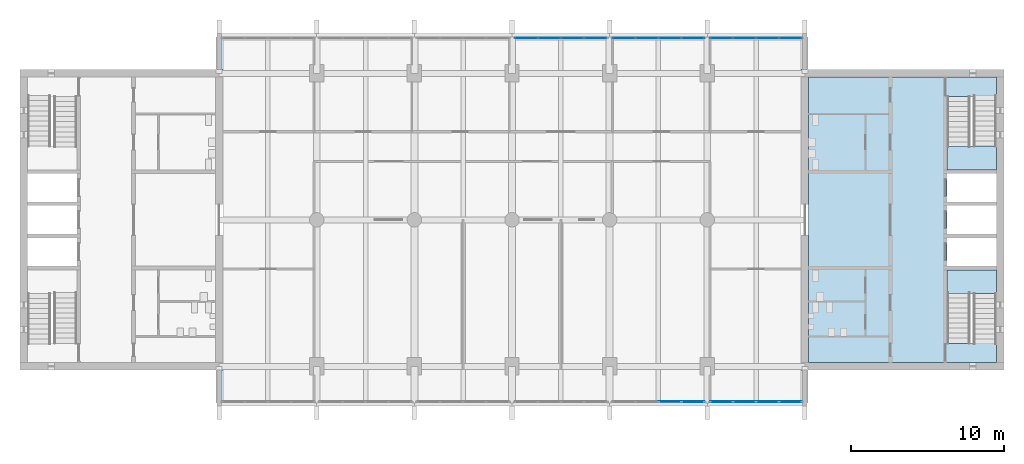
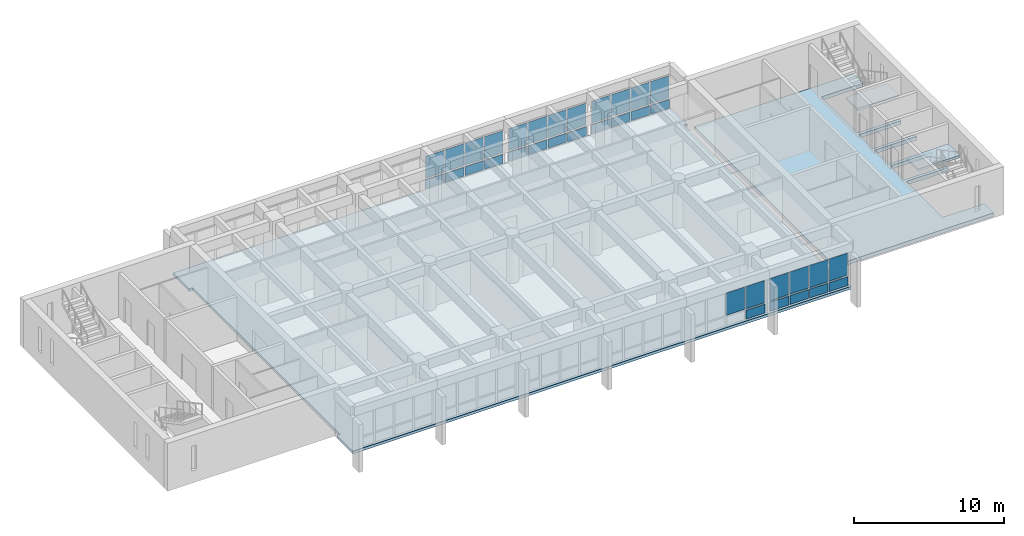
# One storey, part 8 of 15: 35 plates, 4 slabs, 7 elements without a shape of their own.
"""IFC4 building model written with IfcOpenShell, lengths in metres."""

from ifc_helpers import new_model, si_unit, direction, frame, origin, origin_2d, place, context, subcontext, project, spatial, polyline, rectangle, outline, extrude, material, layer, layer_set, type_object, element, aggregate, save


model = new_model("IFC4")

# Units and contexts
model_context = context("Model", 3, precision=1e-05, world=origin(), true_north=direction((0.0, 1.0)))
body_context = subcontext(model_context, "Body", "Model", "MODEL_VIEW")
ifc_project = project(units=[si_unit("LENGTHUNIT", "METRE"), si_unit("AREAUNIT", "SQUARE_METRE"), si_unit("VOLUMEUNIT", "CUBIC_METRE"), si_unit("PLANEANGLEUNIT", "RADIAN"), si_unit("MASSUNIT", "GRAM", prefix="KILO")], contexts=[model_context])

# Site, building, storey
site_placement = place(None, origin())
site = spatial("IfcSite", under=ifc_project, at=site_placement, CompositionType="ELEMENT")
building_placement = place(site_placement, origin())
building = spatial("IfcBuilding", under=site, at=building_placement, Name="Fogon Plaza Fire Station and Headquarters Tower", CompositionType="ELEMENT")
storey_placement = place(building_placement, frame((0.0, 0.0, 40.5)))
storey = spatial("IfcBuildingStorey", under=building, at=storey_placement, Name="L10", CompositionType="ELEMENT", Elevation=40.5)

# Slabs
ifc_material_1 = material(Name="Concrete C40", Category="concrete")
ifc_layer_1 = layer(ifc_material_1, 0.300048828125)
ifc_layer_set_1 = layer_set([ifc_layer_1], Name="Concrete C40")
slab_type_1 = type_object("IfcSlabType", Name="Core Floor Slab RC 300", PredefinedType="FLOOR", material=ifc_layer_set_1)
slab_1_placement = place(storey_placement, frame((0.0, 0.0, -0.300048828125)))
element("IfcSlab", 1, at=slab_1_placement, inside=storey, type_object=slab_type_1, Name="Core B floor", PredefinedType="FLOOR", context=body_context, shape_type="SweptSolid", body=[
    extrude(outline(polyline([(76.550048828125, 35.110107421875), (73.324951171875, 35.110107421875), (73.324951171875, 39.925048828125), (76.550048828125, 39.925048828125), (76.550048828125, 40.175048828125), (73.324951171875, 40.175048828125), (73.324951171875, 42.02490234375), (76.550048828125, 42.02490234375), (76.550048828125, 42.27490234375), (73.324951171875, 42.27490234375), (73.324951171875, 44.125), (76.550048828125, 44.125), (76.550048828125, 44.375), (73.324951171875, 44.375), (73.324951171875, 46.22509765625), (76.550048828125, 46.22509765625), (76.550048828125, 46.47509765625), (73.324951171875, 46.47509765625), (73.324951171875, 51.2900390625), (76.550048828125, 51.2900390625), (76.550048828125, 52.550048828125), (64.25, 52.550048828125), (64.25, 33.85009765625), (76.550048828125, 33.85009765625), (76.550048828125, 35.110107421875)])), origin(), (0.0, 0.0, 1.0), 0.300048828125),
])
ifc_material_2 = material(Name="Concrete C40", Category="concrete")
ifc_layer_2 = layer(ifc_material_2, 0.219970703125)
ifc_layer_set_2 = layer_set([ifc_layer_2], Name="Concrete C40")
slab_type_2 = type_object("IfcSlabType", Name="Floor slab 220 S22", PredefinedType="FLOOR", material=ifc_layer_set_2)
slab_2_placement = place(storey_placement, frame((0.0, 0.0, -0.219970703125)))
element("IfcSlab", 2, at=slab_2_placement, inside=storey, type_object=slab_type_2, Name="slab-L10-bar", PredefinedType="FLOOR", context=body_context, shape_type="SweptSolid", body=[
    extrude(outline(polyline([(64.0, 31.199951171875), (25.60009765625, 31.199951171875), (25.60009765625, 33.35009765625), (25.85009765625, 33.35009765625), (25.85009765625, 53.050048828125), (25.60009765625, 53.050048828125), (25.60009765625, 55.199951171875), (64.0, 55.199951171875), (64.0, 53.050048828125), (63.75, 53.050048828125), (63.75, 33.35009765625), (64.0, 33.35009765625), (64.0, 31.199951171875)])), origin(), (0.0, 0.0, 1.0), 0.219970703125),
])

# Curtain wall, plate
ifc_material_3 = material(Name="Aluminium and glass", Category="aluminium")
ifc_layer_3 = layer(ifc_material_3, 0.14990234375)
ifc_layer_set_3 = layer_set([ifc_layer_3], Name="Aluminium and glass")
curtain_wall_type = type_object("IfcCurtainWallType", Name="Unitised Curtain Wall Run 6100x2880", PredefinedType="NOTDEFINED", material=ifc_layer_set_3)
curtain_wall_1_placement = place(storey_placement, origin())
curtain_wall_1 = element("IfcCurtainWall", 3, at=curtain_wall_1_placement, inside=storey, type_object=curtain_wall_type, Name="CW-6100x2880 S5 L10", PredefinedType="NOTDEFINED")
ifc_material_4 = material(Name="Insulated aluminium spandrel", Category="aluminium")
ifc_layer_4 = layer(ifc_material_4, 0.06005859375)
ifc_layer_set_4 = layer_set([ifc_layer_4], Name="Insulated aluminium spandrel")
plate_type_1 = type_object("IfcPlateType", Name="Insulated Spandrel Panel", PredefinedType="CURTAIN_PANEL", material=ifc_layer_set_4)
plate_1_placement = place(storey_placement, frame((56.6650390625, 31.280029296875, 0.1201171875), z_axis=(0.0, 0.0, 1.0), x_axis=(1.0, 0.0, 0.0)))
plate_1 = element("IfcPlate", 4, at=plate_1_placement, type_object=plate_type_1, Name="SP1 panel 4.1", PredefinedType="CURTAIN_PANEL", context=body_context, shape_type="SweptSolid", body=[
    extrude(rectangle(XDim=1.449951171875, YDim=0.06005859375, at=origin_2d()), origin(), (0.0, 0.0, 1.0), 0.719970703125),
])

# Curtain wall, plates
curtain_wall_2_placement = place(storey_placement, origin())
curtain_wall_2 = element("IfcCurtainWall", 5, at=curtain_wall_2_placement, inside=storey, type_object=curtain_wall_type, Name="CW-6100x2880 S6 L10", PredefinedType="NOTDEFINED")
plate_2_placement = place(storey_placement, frame((58.534912109375, 31.280029296875, 0.1201171875), z_axis=(0.0, 0.0, 1.0), x_axis=(1.0, 0.0, 0.0)))
plate_2 = element("IfcPlate", 6, at=plate_2_placement, type_object=plate_type_1, Name="SP1 panel 1.1", PredefinedType="CURTAIN_PANEL", context=body_context, shape_type="SweptSolid", body=[
    extrude(rectangle(XDim=1.449951171875, YDim=0.06005859375, at=origin_2d()), origin(), (0.0, 0.0, 1.0), 0.719970703125),
])
plate_3_placement = place(storey_placement, frame((60.044921875, 31.280029296875, 0.1201171875), z_axis=(0.0, 0.0, 1.0), x_axis=(1.0, 0.0, 0.0)))
plate_3 = element("IfcPlate", 7, at=plate_3_placement, type_object=plate_type_1, Name="SP1 panel 2.1", PredefinedType="CURTAIN_PANEL", context=body_context, shape_type="SweptSolid", body=[
    extrude(rectangle(XDim=1.449951171875, YDim=0.06005859375, at=origin_2d()), origin(), (0.0, 0.0, 1.0), 0.719970703125),
])
plate_4_placement = place(storey_placement, frame((61.554931640625, 31.280029296875, 0.1201171875), z_axis=(0.0, 0.0, 1.0), x_axis=(1.0, 0.0, 0.0)))
plate_4 = element("IfcPlate", 8, at=plate_4_placement, type_object=plate_type_1, Name="SP1 panel 3.1", PredefinedType="CURTAIN_PANEL", context=body_context, shape_type="SweptSolid", body=[
    extrude(rectangle(XDim=1.449951171875, YDim=0.06005859375, at=origin_2d()), origin(), (0.0, 0.0, 1.0), 0.719970703125),
])
plate_5_placement = place(storey_placement, frame((63.06494140625, 31.280029296875, 0.1201171875), z_axis=(0.0, 0.0, 1.0), x_axis=(1.0, 0.0, 0.0)))
plate_5 = element("IfcPlate", 9, at=plate_5_placement, type_object=plate_type_1, Name="SP1 panel 4.1", PredefinedType="CURTAIN_PANEL", context=body_context, shape_type="SweptSolid", body=[
    extrude(rectangle(XDim=1.449951171875, YDim=0.06005859375, at=origin_2d()), origin(), (0.0, 0.0, 1.0), 0.719970703125),
])

curtain_wall_3_placement = place(storey_placement, origin())
curtain_wall_3 = element("IfcCurtainWall", 10, at=curtain_wall_3_placement, inside=storey, type_object=curtain_wall_type, Name="CW-6100x2880 N4 L10", PredefinedType="NOTDEFINED")
plate_6_placement = place(storey_placement, frame((45.735107421875, 55.1201171875, 0.1201171875), z_axis=(0.0, 0.0, 1.0), x_axis=(1.0, 0.0, 0.0)))
plate_6 = element("IfcPlate", 11, at=plate_6_placement, type_object=plate_type_1, Name="SP1 panel 1.1", PredefinedType="CURTAIN_PANEL", context=body_context, shape_type="SweptSolid", body=[
    extrude(rectangle(XDim=1.449951171875, YDim=0.06005859375, at=origin_2d()), origin(), (0.0, 0.0, 1.0), 0.719970703125),
])
plate_7_placement = place(storey_placement, frame((47.2451171875, 55.1201171875, 0.1201171875), z_axis=(0.0, 0.0, 1.0), x_axis=(1.0, 0.0, 0.0)))
plate_7 = element("IfcPlate", 12, at=plate_7_placement, type_object=plate_type_1, Name="SP1 panel 2.1", PredefinedType="CURTAIN_PANEL", context=body_context, shape_type="SweptSolid", body=[
    extrude(rectangle(XDim=1.449951171875, YDim=0.06005859375, at=origin_2d()), origin(), (0.0, 0.0, 1.0), 0.719970703125),
])
plate_8_placement = place(storey_placement, frame((48.7548828125, 55.1201171875, 0.1201171875), z_axis=(0.0, 0.0, 1.0), x_axis=(1.0, 0.0, 0.0)))
plate_8 = element("IfcPlate", 13, at=plate_8_placement, type_object=plate_type_1, Name="SP1 panel 3.1", PredefinedType="CURTAIN_PANEL", context=body_context, shape_type="SweptSolid", body=[
    extrude(rectangle(XDim=1.449951171875, YDim=0.06005859375, at=origin_2d()), origin(), (0.0, 0.0, 1.0), 0.719970703125),
])
plate_9_placement = place(storey_placement, frame((50.264892578125, 55.1201171875, 0.1201171875), z_axis=(0.0, 0.0, 1.0), x_axis=(1.0, 0.0, 0.0)))
plate_9 = element("IfcPlate", 14, at=plate_9_placement, type_object=plate_type_1, Name="SP1 panel 4.1", PredefinedType="CURTAIN_PANEL", context=body_context, shape_type="SweptSolid", body=[
    extrude(rectangle(XDim=1.449951171875, YDim=0.06005859375, at=origin_2d()), origin(), (0.0, 0.0, 1.0), 0.719970703125),
])

curtain_wall_4_placement = place(storey_placement, origin())
curtain_wall_4 = element("IfcCurtainWall", 15, at=curtain_wall_4_placement, inside=storey, type_object=curtain_wall_type, Name="CW-6100x2880 N5 L10", PredefinedType="NOTDEFINED")
plate_10_placement = place(storey_placement, frame((52.135009765625, 55.1201171875, 0.1201171875), z_axis=(0.0, 0.0, 1.0), x_axis=(1.0, 0.0, 0.0)))
plate_10 = element("IfcPlate", 16, at=plate_10_placement, type_object=plate_type_1, Name="SP1 panel 1.1", PredefinedType="CURTAIN_PANEL", context=body_context, shape_type="SweptSolid", body=[
    extrude(rectangle(XDim=1.449951171875, YDim=0.06005859375, at=origin_2d()), origin(), (0.0, 0.0, 1.0), 0.719970703125),
])
plate_11_placement = place(storey_placement, frame((53.64501953125, 55.1201171875, 0.1201171875), z_axis=(0.0, 0.0, 1.0), x_axis=(1.0, 0.0, 0.0)))
plate_11 = element("IfcPlate", 17, at=plate_11_placement, type_object=plate_type_1, Name="SP1 panel 2.1", PredefinedType="CURTAIN_PANEL", context=body_context, shape_type="SweptSolid", body=[
    extrude(rectangle(XDim=1.449951171875, YDim=0.06005859375, at=origin_2d()), origin(), (0.0, 0.0, 1.0), 0.719970703125),
])
plate_12_placement = place(storey_placement, frame((55.155029296875, 55.1201171875, 0.1201171875), z_axis=(0.0, 0.0, 1.0), x_axis=(1.0, 0.0, 0.0)))
plate_12 = element("IfcPlate", 18, at=plate_12_placement, type_object=plate_type_1, Name="SP1 panel 3.1", PredefinedType="CURTAIN_PANEL", context=body_context, shape_type="SweptSolid", body=[
    extrude(rectangle(XDim=1.449951171875, YDim=0.06005859375, at=origin_2d()), origin(), (0.0, 0.0, 1.0), 0.719970703125),
])
plate_13_placement = place(storey_placement, frame((56.6650390625, 55.1201171875, 0.1201171875), z_axis=(0.0, 0.0, 1.0), x_axis=(1.0, 0.0, 0.0)))
plate_13 = element("IfcPlate", 19, at=plate_13_placement, type_object=plate_type_1, Name="SP1 panel 4.1", PredefinedType="CURTAIN_PANEL", context=body_context, shape_type="SweptSolid", body=[
    extrude(rectangle(XDim=1.449951171875, YDim=0.06005859375, at=origin_2d()), origin(), (0.0, 0.0, 1.0), 0.719970703125),
])

curtain_wall_5_placement = place(storey_placement, origin())
curtain_wall_5 = element("IfcCurtainWall", 20, at=curtain_wall_5_placement, inside=storey, type_object=curtain_wall_type, Name="CW-6100x2880 N6 L10", PredefinedType="NOTDEFINED")
plate_14_placement = place(storey_placement, frame((58.534912109375, 55.1201171875, 0.1201171875), z_axis=(0.0, 0.0, 1.0), x_axis=(1.0, 0.0, 0.0)))
plate_14 = element("IfcPlate", 21, at=plate_14_placement, type_object=plate_type_1, Name="SP1 panel 1.1", PredefinedType="CURTAIN_PANEL", context=body_context, shape_type="SweptSolid", body=[
    extrude(rectangle(XDim=1.449951171875, YDim=0.06005859375, at=origin_2d()), origin(), (0.0, 0.0, 1.0), 0.719970703125),
])
plate_15_placement = place(storey_placement, frame((60.044921875, 55.1201171875, 0.1201171875), z_axis=(0.0, 0.0, 1.0), x_axis=(1.0, 0.0, 0.0)))
plate_15 = element("IfcPlate", 22, at=plate_15_placement, type_object=plate_type_1, Name="SP1 panel 2.1", PredefinedType="CURTAIN_PANEL", context=body_context, shape_type="SweptSolid", body=[
    extrude(rectangle(XDim=1.449951171875, YDim=0.06005859375, at=origin_2d()), origin(), (0.0, 0.0, 1.0), 0.719970703125),
])
plate_16_placement = place(storey_placement, frame((61.554931640625, 55.1201171875, 0.1201171875), z_axis=(0.0, 0.0, 1.0), x_axis=(1.0, 0.0, 0.0)))
plate_16 = element("IfcPlate", 23, at=plate_16_placement, type_object=plate_type_1, Name="SP1 panel 3.1", PredefinedType="CURTAIN_PANEL", context=body_context, shape_type="SweptSolid", body=[
    extrude(rectangle(XDim=1.449951171875, YDim=0.06005859375, at=origin_2d()), origin(), (0.0, 0.0, 1.0), 0.719970703125),
])
plate_17_placement = place(storey_placement, frame((63.06494140625, 55.1201171875, 0.1201171875), z_axis=(0.0, 0.0, 1.0), x_axis=(1.0, 0.0, 0.0)))
plate_17 = element("IfcPlate", 24, at=plate_17_placement, type_object=plate_type_1, Name="SP1 panel 4.1", PredefinedType="CURTAIN_PANEL", context=body_context, shape_type="SweptSolid", body=[
    extrude(rectangle(XDim=1.449951171875, YDim=0.06005859375, at=origin_2d()), origin(), (0.0, 0.0, 1.0), 0.719970703125),
])

# Stair, slab
ifc_material_5 = material(Name="Concrete C40", Category="concrete")
stair_type = type_object("IfcStairType", Name="Exit Stair Two Flights", PredefinedType="TWO_STRAIGHT_RUN_STAIR", material=ifc_material_5)
stair_1_placement = place(storey_placement, origin())
stair_1 = element("IfcStair", 25, at=stair_1_placement, inside=storey, type_object=stair_type, Name="Stair ST3", PredefinedType="TWO_STRAIGHT_RUN_STAIR")
ifc_material_6 = material(Name="Concrete C40", Category="concrete")
ifc_layer_5 = layer(ifc_material_6, 0.300048828125)
ifc_layer_set_5 = layer_set([ifc_layer_5], Name="Concrete C40")
slab_type_3 = type_object("IfcSlabType", Name="Stair Landing RC 300", PredefinedType="LANDING", material=ifc_layer_set_5)
slab_3_placement = place(storey_placement, frame((0.0, 0.0, 1.75)))
slab_3 = element("IfcSlab", 26, at=slab_3_placement, type_object=slab_type_3, Name="ST3 landing L12", PredefinedType="LANDING", context=body_context, shape_type="SweptSolid", body=[
    extrude(outline(polyline([(73.324951171875, 38.375), (76.550048828125, 38.375), (76.550048828125, 39.925048828125), (73.324951171875, 39.925048828125), (73.324951171875, 38.375)])), origin(), (0.0, 0.0, 1.0), 0.199951171875),
])
aggregate(stair_1, [slab_3])

stair_2_placement = place(storey_placement, origin())
stair_2 = element("IfcStair", 27, at=stair_2_placement, inside=storey, type_object=stair_type, Name="Stair ST4", PredefinedType="TWO_STRAIGHT_RUN_STAIR")
slab_4_placement = place(storey_placement, frame((0.0, 0.0, 1.75)))
slab_4 = element("IfcSlab", 28, at=slab_4_placement, type_object=slab_type_3, Name="ST4 landing L12", PredefinedType="LANDING", context=body_context, shape_type="SweptSolid", body=[
    extrude(outline(polyline([(73.324951171875, 46.47509765625), (76.550048828125, 46.47509765625), (76.550048828125, 48.02490234375), (73.324951171875, 48.02490234375), (73.324951171875, 46.47509765625)])), origin(), (0.0, 0.0, 1.0), 0.199951171875),
])
aggregate(stair_2, [slab_4])

# Plate
ifc_material_7 = material(Name="Low-e double glazing", Category="glass")
ifc_layer_6 = layer(ifc_material_7, 0.028076171875)
ifc_layer_set_6 = layer_set([ifc_layer_6], Name="Low-e double glazing")
plate_type_2 = type_object("IfcPlateType", Name="Vision Glass Panel 1450x1800", PredefinedType="CURTAIN_PANEL", material=ifc_layer_set_6)
plate_18_placement = place(storey_placement, frame((55.155029296875, 31.280029296875, 0.9599609375), z_axis=(0.0, 0.0, 1.0), x_axis=(1.0, 0.0, 0.0)))
plate_18 = element("IfcPlate", 29, at=plate_18_placement, type_object=plate_type_2, Name="VG-1450x1800 panel 3.2", PredefinedType="CURTAIN_PANEL", context=body_context, shape_type="SweptSolid", body=[
    extrude(rectangle(XDim=1.449951171875, YDim=0.028076171875, at=origin_2d()), origin(), (0.0, 0.0, 1.0), 1.800048828125),
])

plate_19_placement = place(storey_placement, frame((56.6650390625, 31.280029296875, 0.9599609375), z_axis=(0.0, 0.0, 1.0), x_axis=(1.0, 0.0, 0.0)))
plate_19 = element("IfcPlate", 30, at=plate_19_placement, type_object=plate_type_2, Name="VG-1450x1800 panel 4.2", PredefinedType="CURTAIN_PANEL", context=body_context, shape_type="SweptSolid", body=[
    extrude(rectangle(XDim=1.449951171875, YDim=0.028076171875, at=origin_2d()), origin(), (0.0, 0.0, 1.0), 1.800048828125),
])

aggregate(curtain_wall_1, [plate_18, plate_1, plate_19])

plate_20_placement = place(storey_placement, frame((58.534912109375, 31.280029296875, 0.9599609375), z_axis=(0.0, 0.0, 1.0), x_axis=(1.0, 0.0, 0.0)))
plate_20 = element("IfcPlate", 31, at=plate_20_placement, type_object=plate_type_2, Name="VG-1450x1800 panel 1.2", PredefinedType="CURTAIN_PANEL", context=body_context, shape_type="SweptSolid", body=[
    extrude(rectangle(XDim=1.449951171875, YDim=0.028076171875, at=origin_2d()), origin(), (0.0, 0.0, 1.0), 1.800048828125),
])

plate_21_placement = place(storey_placement, frame((60.044921875, 31.280029296875, 0.9599609375), z_axis=(0.0, 0.0, 1.0), x_axis=(1.0, 0.0, 0.0)))
plate_21 = element("IfcPlate", 32, at=plate_21_placement, type_object=plate_type_2, Name="VG-1450x1800 panel 2.2", PredefinedType="CURTAIN_PANEL", context=body_context, shape_type="SweptSolid", body=[
    extrude(rectangle(XDim=1.449951171875, YDim=0.028076171875, at=origin_2d()), origin(), (0.0, 0.0, 1.0), 1.800048828125),
])

plate_22_placement = place(storey_placement, frame((61.554931640625, 31.280029296875, 0.9599609375), z_axis=(0.0, 0.0, 1.0), x_axis=(1.0, 0.0, 0.0)))
plate_22 = element("IfcPlate", 33, at=plate_22_placement, type_object=plate_type_2, Name="VG-1450x1800 panel 3.2", PredefinedType="CURTAIN_PANEL", context=body_context, shape_type="SweptSolid", body=[
    extrude(rectangle(XDim=1.449951171875, YDim=0.028076171875, at=origin_2d()), origin(), (0.0, 0.0, 1.0), 1.800048828125),
])

plate_23_placement = place(storey_placement, frame((63.06494140625, 31.280029296875, 0.9599609375), z_axis=(0.0, 0.0, 1.0), x_axis=(1.0, 0.0, 0.0)))
plate_23 = element("IfcPlate", 34, at=plate_23_placement, type_object=plate_type_2, Name="VG-1450x1800 panel 4.2", PredefinedType="CURTAIN_PANEL", context=body_context, shape_type="SweptSolid", body=[
    extrude(rectangle(XDim=1.449951171875, YDim=0.028076171875, at=origin_2d()), origin(), (0.0, 0.0, 1.0), 1.800048828125),
])

aggregate(curtain_wall_2, [plate_2, plate_20, plate_3, plate_21, plate_4, plate_22, plate_5, plate_23])

plate_24_placement = place(storey_placement, frame((45.735107421875, 55.1201171875, 0.9599609375), z_axis=(0.0, 0.0, 1.0), x_axis=(1.0, 0.0, 0.0)))
plate_24 = element("IfcPlate", 35, at=plate_24_placement, type_object=plate_type_2, Name="VG-1450x1800 panel 1.2", PredefinedType="CURTAIN_PANEL", context=body_context, shape_type="SweptSolid", body=[
    extrude(rectangle(XDim=1.449951171875, YDim=0.028076171875, at=origin_2d()), origin(), (0.0, 0.0, 1.0), 1.800048828125),
])

plate_25_placement = place(storey_placement, frame((47.2451171875, 55.1201171875, 0.9599609375), z_axis=(0.0, 0.0, 1.0), x_axis=(1.0, 0.0, 0.0)))
plate_25 = element("IfcPlate", 36, at=plate_25_placement, type_object=plate_type_2, Name="VG-1450x1800 panel 2.2", PredefinedType="CURTAIN_PANEL", context=body_context, shape_type="SweptSolid", body=[
    extrude(rectangle(XDim=1.449951171875, YDim=0.028076171875, at=origin_2d()), origin(), (0.0, 0.0, 1.0), 1.800048828125),
])

plate_26_placement = place(storey_placement, frame((48.7548828125, 55.1201171875, 0.9599609375), z_axis=(0.0, 0.0, 1.0), x_axis=(1.0, 0.0, 0.0)))
plate_26 = element("IfcPlate", 37, at=plate_26_placement, type_object=plate_type_2, Name="VG-1450x1800 panel 3.2", PredefinedType="CURTAIN_PANEL", context=body_context, shape_type="SweptSolid", body=[
    extrude(rectangle(XDim=1.449951171875, YDim=0.028076171875, at=origin_2d()), origin(), (0.0, 0.0, 1.0), 1.800048828125),
])

plate_27_placement = place(storey_placement, frame((50.264892578125, 55.1201171875, 0.9599609375), z_axis=(0.0, 0.0, 1.0), x_axis=(1.0, 0.0, 0.0)))
plate_27 = element("IfcPlate", 38, at=plate_27_placement, type_object=plate_type_2, Name="VG-1450x1800 panel 4.2", PredefinedType="CURTAIN_PANEL", context=body_context, shape_type="SweptSolid", body=[
    extrude(rectangle(XDim=1.449951171875, YDim=0.028076171875, at=origin_2d()), origin(), (0.0, 0.0, 1.0), 1.800048828125),
])

aggregate(curtain_wall_3, [plate_6, plate_24, plate_7, plate_25, plate_8, plate_26, plate_9, plate_27])

plate_28_placement = place(storey_placement, frame((52.135009765625, 55.1201171875, 0.9599609375), z_axis=(0.0, 0.0, 1.0), x_axis=(1.0, 0.0, 0.0)))
plate_28 = element("IfcPlate", 39, at=plate_28_placement, type_object=plate_type_2, Name="VG-1450x1800 panel 1.2", PredefinedType="CURTAIN_PANEL", context=body_context, shape_type="SweptSolid", body=[
    extrude(rectangle(XDim=1.449951171875, YDim=0.028076171875, at=origin_2d()), origin(), (0.0, 0.0, 1.0), 1.800048828125),
])

plate_29_placement = place(storey_placement, frame((53.64501953125, 55.1201171875, 0.9599609375), z_axis=(0.0, 0.0, 1.0), x_axis=(1.0, 0.0, 0.0)))
plate_29 = element("IfcPlate", 40, at=plate_29_placement, type_object=plate_type_2, Name="VG-1450x1800 panel 2.2", PredefinedType="CURTAIN_PANEL", context=body_context, shape_type="SweptSolid", body=[
    extrude(rectangle(XDim=1.449951171875, YDim=0.028076171875, at=origin_2d()), origin(), (0.0, 0.0, 1.0), 1.800048828125),
])

plate_30_placement = place(storey_placement, frame((55.155029296875, 55.1201171875, 0.9599609375), z_axis=(0.0, 0.0, 1.0), x_axis=(1.0, 0.0, 0.0)))
plate_30 = element("IfcPlate", 41, at=plate_30_placement, type_object=plate_type_2, Name="VG-1450x1800 panel 3.2", PredefinedType="CURTAIN_PANEL", context=body_context, shape_type="SweptSolid", body=[
    extrude(rectangle(XDim=1.449951171875, YDim=0.028076171875, at=origin_2d()), origin(), (0.0, 0.0, 1.0), 1.800048828125),
])

plate_31_placement = place(storey_placement, frame((56.6650390625, 55.1201171875, 0.9599609375), z_axis=(0.0, 0.0, 1.0), x_axis=(1.0, 0.0, 0.0)))
plate_31 = element("IfcPlate", 42, at=plate_31_placement, type_object=plate_type_2, Name="VG-1450x1800 panel 4.2", PredefinedType="CURTAIN_PANEL", context=body_context, shape_type="SweptSolid", body=[
    extrude(rectangle(XDim=1.449951171875, YDim=0.028076171875, at=origin_2d()), origin(), (0.0, 0.0, 1.0), 1.800048828125),
])

aggregate(curtain_wall_4, [plate_10, plate_28, plate_11, plate_29, plate_12, plate_30, plate_13, plate_31])

plate_32_placement = place(storey_placement, frame((58.534912109375, 55.1201171875, 0.9599609375), z_axis=(0.0, 0.0, 1.0), x_axis=(1.0, 0.0, 0.0)))
plate_32 = element("IfcPlate", 43, at=plate_32_placement, type_object=plate_type_2, Name="VG-1450x1800 panel 1.2", PredefinedType="CURTAIN_PANEL", context=body_context, shape_type="SweptSolid", body=[
    extrude(rectangle(XDim=1.449951171875, YDim=0.028076171875, at=origin_2d()), origin(), (0.0, 0.0, 1.0), 1.800048828125),
])

plate_33_placement = place(storey_placement, frame((60.044921875, 55.1201171875, 0.9599609375), z_axis=(0.0, 0.0, 1.0), x_axis=(1.0, 0.0, 0.0)))
plate_33 = element("IfcPlate", 44, at=plate_33_placement, type_object=plate_type_2, Name="VG-1450x1800 panel 2.2", PredefinedType="CURTAIN_PANEL", context=body_context, shape_type="SweptSolid", body=[
    extrude(rectangle(XDim=1.449951171875, YDim=0.028076171875, at=origin_2d()), origin(), (0.0, 0.0, 1.0), 1.800048828125),
])

plate_34_placement = place(storey_placement, frame((61.554931640625, 55.1201171875, 0.9599609375), z_axis=(0.0, 0.0, 1.0), x_axis=(1.0, 0.0, 0.0)))
plate_34 = element("IfcPlate", 45, at=plate_34_placement, type_object=plate_type_2, Name="VG-1450x1800 panel 3.2", PredefinedType="CURTAIN_PANEL", context=body_context, shape_type="SweptSolid", body=[
    extrude(rectangle(XDim=1.449951171875, YDim=0.028076171875, at=origin_2d()), origin(), (0.0, 0.0, 1.0), 1.800048828125),
])

plate_35_placement = place(storey_placement, frame((63.06494140625, 55.1201171875, 0.9599609375), z_axis=(0.0, 0.0, 1.0), x_axis=(1.0, 0.0, 0.0)))
plate_35 = element("IfcPlate", 46, at=plate_35_placement, type_object=plate_type_2, Name="VG-1450x1800 panel 4.2", PredefinedType="CURTAIN_PANEL", context=body_context, shape_type="SweptSolid", body=[
    extrude(rectangle(XDim=1.449951171875, YDim=0.028076171875, at=origin_2d()), origin(), (0.0, 0.0, 1.0), 1.800048828125),
])

aggregate(curtain_wall_5, [plate_14, plate_32, plate_15, plate_33, plate_16, plate_34, plate_17, plate_35])

save(model, "model.ifc")
